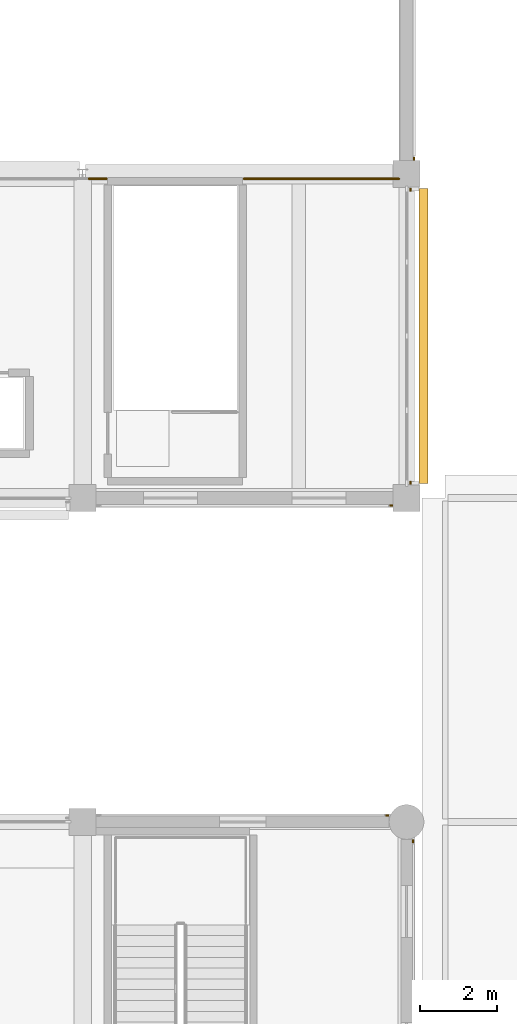
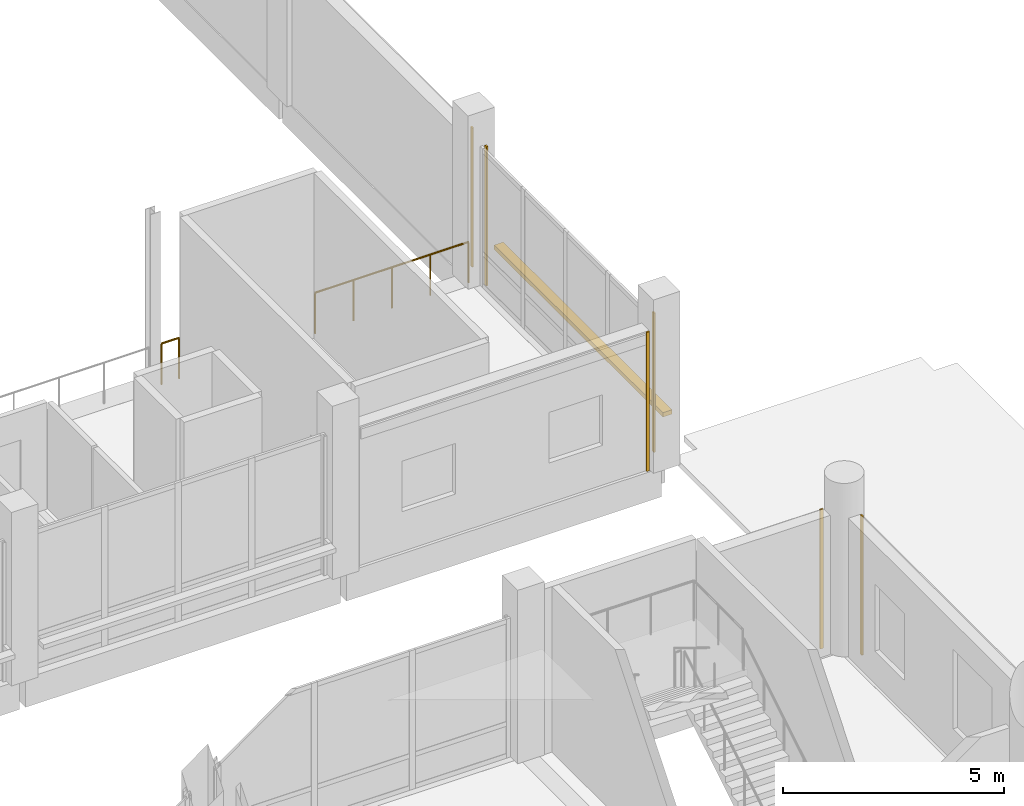
# One storey, part 124 of 128: 6 coverings, 2 railings, 1 shading device.
"""IFC4 building model written with IfcOpenShell, lengths in metres."""

from ifc_helpers import new_model, si_unit, direction, frame, origin, origin_2d, place, context, subcontext, project, spatial, rectangle, circle, extrude, material, layer, layer_set, type_object, element, save


model = new_model("IFC4")

# Units and contexts
model_context = context("Model", 3, precision=1e-05, world=origin(), true_north=direction((0.0, 1.0)))
body_context = subcontext(model_context, "Body", "Model", "MODEL_VIEW")
ifc_project = project(units=[si_unit("LENGTHUNIT", "METRE"), si_unit("AREAUNIT", "SQUARE_METRE"), si_unit("VOLUMEUNIT", "CUBIC_METRE"), si_unit("PLANEANGLEUNIT", "RADIAN"), si_unit("MASSUNIT", "GRAM", prefix="KILO")], contexts=[model_context])

# Site, building, storey
site_placement = place(None, origin())
site = spatial("IfcSite", under=ifc_project, at=site_placement, CompositionType="ELEMENT")
building_placement = place(site_placement, origin())
building = spatial("IfcBuilding", under=site, at=building_placement, Name="Telukmera Botanical Conservatory", CompositionType="ELEMENT")
storey_placement = place(building_placement, frame((0.0, 0.0, 5.39990234375)))
storey = spatial("IfcBuildingStorey", under=building, at=storey_placement, Name="L01", CompositionType="ELEMENT", Elevation=5.39990234375)

# Coverings
ifc_material_1 = material(Name="Granite-faced precast concrete C40/50", Category="masonry")
ifc_layer_1 = layer(ifc_material_1, 0.0400390625)
ifc_layer_set_1 = layer_set([ifc_layer_1], Name="Granite-faced precast concrete C40/50")
covering_type = type_object("IfcCoveringType", Name="Granite Precast Column Pier Reveal Casing", PredefinedType="CLADDING", material=ifc_layer_set_1)
for number, where, z_axis, x_axis, name in (
    (1, (41.597900390625, 83.010009765625, 0.0), (0.0, 0.0, 1.0), (1.0, 0.0, 0.0), "Granite Pier Reveal V2:L01:S4 R"),
    (2, (42.10009765625, 83.60205078125, 0.0), (0.0, 0.0, 1.0), (0.0, 1.0, 0.0), "Granite Pier Reveal V2:L01:E1 L"),
    (3, (42.10009765625, 91.197998046875, 0.0), (0.0, 0.0, 1.0), (0.0, 1.0, 0.0), "Granite Pier Reveal V2:L01:E1 R"),
    (4, (42.18994140625, 92.001953125, 0.0), (0.0, 0.0, 1.0), (0.0, 1.0, 0.0), "Granite Pier Reveal V2:L01:E2 L"),
    (5, (41.498046875, 74.969970703125, 0.0), (0.0, 0.0, 1.0), (1.0, 0.0, 0.0), "Granite Pier Reveal V3:L01:N4 R"),
    (6, (42.169921875, 74.298095703125, 0.0), (0.0, 0.0, 1.0), (0.0, 1.0, 0.0), "Granite Pier Reveal V3:L01:E7 R"),
):
    element("IfcCovering", number, at=place(storey_placement, frame(where, z_axis=z_axis, x_axis=x_axis)), inside=storey, type_object=covering_type, Name=name, PredefinedType="CLADDING", context=body_context, shape_type="SweptSolid", body=[
        extrude(rectangle(XDim=0.080078125, YDim=0.0400390625, at=origin_2d()), origin(), (0.0, 0.0, 1.0), 3.85009765625),
    ])

# Shading device
ifc_material_2 = material(Name="Perforated terracotta-anodised aluminium 6063-T6", Category="masonry")
ifc_layer_2 = layer(ifc_material_2, 0.044921875)
ifc_layer_set_2 = layer_set([ifc_layer_2], Name="Perforated terracotta-anodised aluminium 6063-T6")
shading_device_type = type_object("IfcShadingDeviceType", Name="Perforated Terracotta Aluminium Monsoon Brise Soleil", PredefinedType="JALOUSIE", material=ifc_layer_set_2)
shading_device_placement = place(storey_placement, frame((42.43994140625, 87.39990234375, 0.89013671875), z_axis=(0.0, 0.0, 1.0), x_axis=(0.0, 1.0, 0.0)))
element("IfcShadingDevice", 7, at=shading_device_placement, inside=storey, type_object=shading_device_type, Name="Monsoon Shading BS01 V2:L01:E1", PredefinedType="JALOUSIE", context=body_context, shape_type="SweptSolid", body=[
    extrude(rectangle(XDim=7.656005859375, YDim=0.239990234375, at=origin_2d()), origin(), (0.0, 0.0, 1.0), 0.1201171875),
])

# Railings
ifc_material_3 = material(Name="Steel S355", Category="steel")
railing_type = type_object("IfcRailingType", Name="RL-BALC-1150", PredefinedType="GUARDRAIL", material=ifc_material_3)
railing_1_placement = place(storey_placement, frame((33.760009765625, 91.47998046875, 0.0)))
element("IfcRailing", 8, at=railing_1_placement, inside=storey, type_object=railing_type, Name="L01 Auditorium Balcony Center Pier Guard", PredefinedType="GUARDRAIL", context=body_context, shape_type="SweptSolid", body=[
    extrude(circle(Radius=0.02392578125, at=origin_2d()), frame((0.0, 0.0, 1.1259765625), z_axis=(1.0, 0.0, 0.0), x_axis=(0.0, 1.0, 0.0)), (0.0, 0.0, 1.0), 0.4599609375),
    extrude(circle(Radius=0.02099609375, at=origin_2d()), origin(), (0.0, 0.0, 1.0), 1.101806640625),
    extrude(circle(Radius=0.02099609375, at=origin_2d()), frame((0.4599609375, 0.0, 0.0)), (0.0, 0.0, 1.0), 1.101806640625),
])
railing_2_placement = place(storey_placement, frame((37.780029296875, 91.47998046875, 0.0)))
element("IfcRailing", 9, at=railing_2_placement, inside=storey, type_object=railing_type, Name="L01 Auditorium Balcony East Guard", PredefinedType="GUARDRAIL", context=body_context, shape_type="SweptSolid", body=[
    extrude(circle(Radius=0.02392578125, at=origin_2d()), frame((0.0, 0.0, 1.1259765625), z_axis=(1.0, 0.0, 0.0), x_axis=(0.0, 1.0, 0.0)), (0.0, 0.0, 1.0), 4.02001953125),
    extrude(circle(Radius=0.02099609375, at=origin_2d()), origin(), (0.0, 0.0, 1.0), 1.101806640625),
    extrude(circle(Radius=0.02099609375, at=origin_2d()), frame((1.0048828125, 0.0, 0.0)), (0.0, 0.0, 1.0), 1.101806640625),
    extrude(circle(Radius=0.02099609375, at=origin_2d()), frame((2.010009765625, 0.0, 0.0)), (0.0, 0.0, 1.0), 1.101806640625),
    extrude(circle(Radius=0.02099609375, at=origin_2d()), frame((3.01513671875, 0.0, 0.0)), (0.0, 0.0, 1.0), 1.101806640625),
    extrude(circle(Radius=0.02099609375, at=origin_2d()), frame((4.02001953125, 0.0, 0.0)), (0.0, 0.0, 1.0), 1.101806640625),
])

save(model, "model.ifc")
